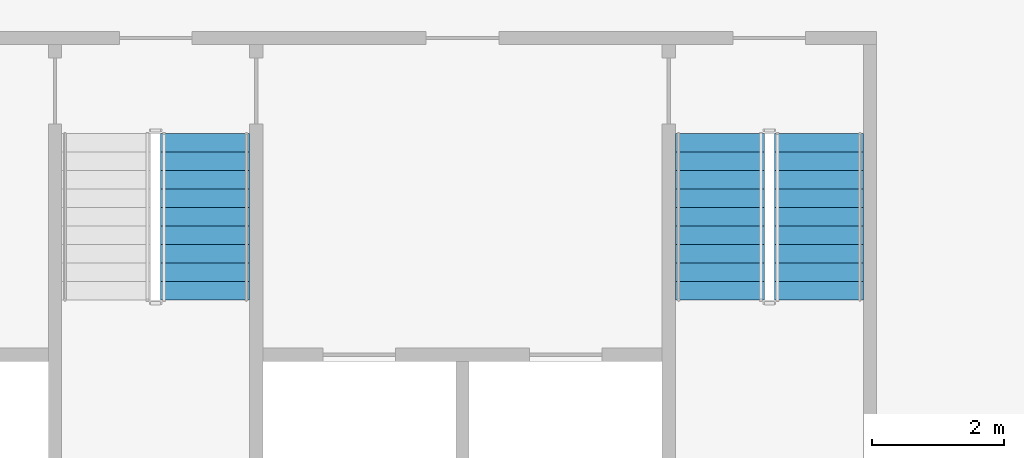
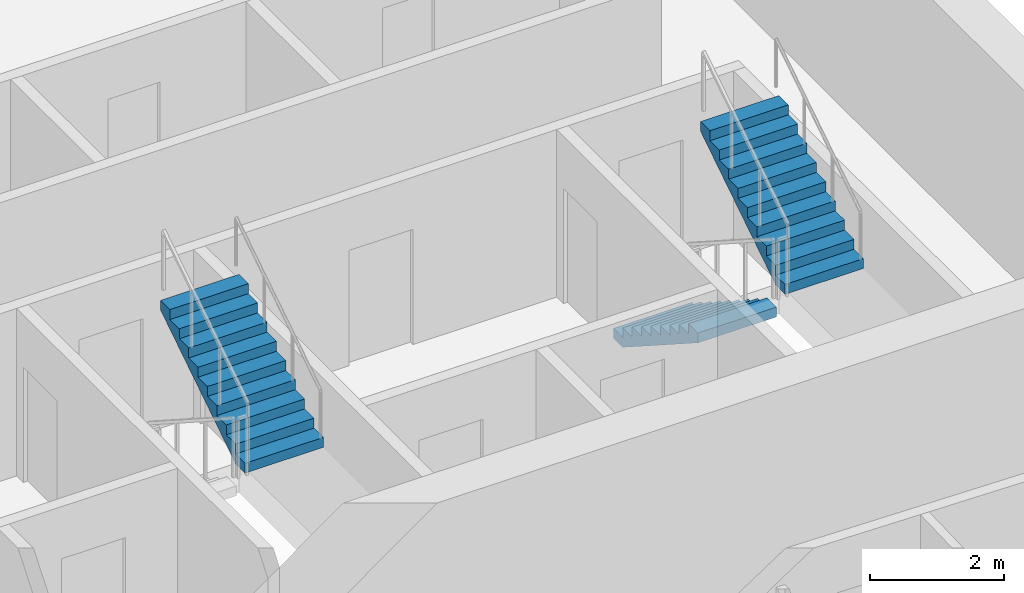
# One storey, part 13 of 17: 3 stair flights, 2 elements without a shape of their own.
"""IFC4 building model written with IfcOpenShell, lengths in metres."""

from ifc_helpers import new_model, si_unit, direction, frame, origin, place, context, subcontext, project, spatial, polyline, outline, extrude, material, type_object, element, aggregate, save


model = new_model("IFC4")

# Units and contexts
model_context = context("Model", 3, precision=1e-05, world=origin(), true_north=direction((0.0, 1.0)))
body_context = subcontext(model_context, "Body", "Model", "MODEL_VIEW")
ifc_project = project(units=[si_unit("LENGTHUNIT", "METRE"), si_unit("AREAUNIT", "SQUARE_METRE"), si_unit("VOLUMEUNIT", "CUBIC_METRE"), si_unit("PLANEANGLEUNIT", "RADIAN"), si_unit("MASSUNIT", "GRAM", prefix="KILO")], contexts=[model_context])

# Site, building, storey
site_placement = place(None, origin())
site = spatial("IfcSite", under=ifc_project, at=site_placement, CompositionType="ELEMENT")
building_placement = place(site_placement, origin())
building = spatial("IfcBuilding", under=site, at=building_placement, Name="Mangrove Gate Tower", CompositionType="ELEMENT")
storey_placement = place(building_placement, frame((0.0, 0.0, 268.10009765625)))
storey = spatial("IfcBuildingStorey", under=building, at=storey_placement, Name="L68", CompositionType="ELEMENT", Elevation=268.10009765625)

# Stair, stair flight
ifc_material_1 = material(Name="Concrete C40/50", Category="concrete")
stair_type = type_object("IfcStairType", Name="Core stair 1350", PredefinedType="HALF_TURN_STAIR", material=ifc_material_1)
stair_1_placement = place(storey_placement, origin())
stair_1 = element("IfcStair", 1, at=stair_1_placement, inside=storey, type_object=stair_type, Name="L68 Stair 2", PredefinedType="HALF_TURN_STAIR")
ifc_material_2 = material(Name="Concrete C40/50", Category="concrete")
stair_flight_type = type_object("IfcStairFlightType", Name="Core stair flight 1350", PredefinedType="STRAIGHT", material=ifc_material_2)
stair_flight_1_placement = place(storey_placement, frame((0.72509765625, -7.169921875, 1.7998046875), z_axis=(0.0, 0.0, 1.0), x_axis=(0.0, 1.0, 0.0)))
stair_flight_1 = element("IfcStairFlight", 2, at=stair_flight_1_placement, type_object=stair_flight_type, Name="ST2 flight 2", NumberOfRisers=10, NumberOfTreads=9, PredefinedType="STRAIGHT", RiserHeight=0.18, TreadLength=0.28, context=body_context, shape_type="SweptSolid", body=[
    extrude(outline(polyline([(0.0, 0.0), (0.0, 0.179931640625), (0.280029296875, 0.179931640625), (0.280029296875, 0.360107421875), (0.56005859375, 0.360107421875), (0.56005859375, 0.5400390625), (0.840087890625, 0.5400390625), (0.840087890625, 0.719970703125), (1.1201171875, 0.719970703125), (1.1201171875, 0.89990234375), (1.39990234375, 0.89990234375), (1.39990234375, 1.080078125), (1.679931640625, 1.080078125), (1.679931640625, 1.260009765625), (1.9599609375, 1.260009765625), (1.9599609375, 1.43994140625), (2.239990234375, 1.43994140625), (2.239990234375, 1.6201171875), (2.52001953125, 1.6201171875), (2.52001953125, 1.800048828125), (2.52001953125, 1.44189453125), (0.277099609375, 0.0), (0.0, 0.0)])), frame((0.0, 0.675048828125, 0.0), z_axis=(0.0, -1.0, 0.0), x_axis=(1.0, 0.0, 0.0)), (0.0, 0.0, 1.0), 1.35009765625),
])
aggregate(stair_1, [stair_flight_1])

# Stair, stair flights
stair_2_placement = place(storey_placement, origin())
stair_2 = element("IfcStair", 3, at=stair_2_placement, inside=storey, type_object=stair_type, Name="L68 Stair 3", PredefinedType="HALF_TURN_STAIR")
stair_flight_2_placement = place(storey_placement, frame((8.52490234375, -4.64990234375, 0.0), z_axis=(0.0, 0.0, 1.0), x_axis=(0.0, -1.0, 0.0)))
stair_flight_2 = element("IfcStairFlight", 4, at=stair_flight_2_placement, type_object=stair_flight_type, Name="ST3 flight 1", NumberOfRisers=10, NumberOfTreads=9, PredefinedType="STRAIGHT", RiserHeight=0.18, TreadLength=0.28, context=body_context, shape_type="SweptSolid", body=[
    extrude(outline(polyline([(0.0, 0.0), (0.0, 0.179931640625), (0.280029296875, 0.179931640625), (0.280029296875, 0.360107421875), (0.56005859375, 0.360107421875), (0.56005859375, 0.5400390625), (0.840087890625, 0.5400390625), (0.840087890625, 0.719970703125), (1.1201171875, 0.719970703125), (1.1201171875, 0.89990234375), (1.39990234375, 0.89990234375), (1.39990234375, 1.080078125), (1.679931640625, 1.080078125), (1.679931640625, 1.260009765625), (1.9599609375, 1.260009765625), (1.9599609375, 1.43994140625), (2.239990234375, 1.43994140625), (2.239990234375, 1.6201171875), (2.52001953125, 1.6201171875), (2.52001953125, 1.800048828125), (2.52001953125, 1.44189453125), (0.277099609375, 0.0), (0.0, 0.0)])), frame((0.0, 0.675048828125, 0.0), z_axis=(0.0, -1.0, 0.0), x_axis=(1.0, 0.0, 0.0)), (0.0, 0.0, 1.0), 1.35009765625),
])
stair_flight_3_placement = place(storey_placement, frame((10.02490234375, -7.169921875, 1.7998046875), z_axis=(0.0, 0.0, 1.0), x_axis=(0.0, 1.0, 0.0)))
stair_flight_3 = element("IfcStairFlight", 5, at=stair_flight_3_placement, type_object=stair_flight_type, Name="ST3 flight 2", NumberOfRisers=10, NumberOfTreads=9, PredefinedType="STRAIGHT", RiserHeight=0.18, TreadLength=0.28, context=body_context, shape_type="SweptSolid", body=[
    extrude(outline(polyline([(0.0, 0.0), (0.0, 0.179931640625), (0.280029296875, 0.179931640625), (0.280029296875, 0.360107421875), (0.56005859375, 0.360107421875), (0.56005859375, 0.5400390625), (0.840087890625, 0.5400390625), (0.840087890625, 0.719970703125), (1.1201171875, 0.719970703125), (1.1201171875, 0.89990234375), (1.39990234375, 0.89990234375), (1.39990234375, 1.080078125), (1.679931640625, 1.080078125), (1.679931640625, 1.260009765625), (1.9599609375, 1.260009765625), (1.9599609375, 1.43994140625), (2.239990234375, 1.43994140625), (2.239990234375, 1.6201171875), (2.52001953125, 1.6201171875), (2.52001953125, 1.800048828125), (2.52001953125, 1.44189453125), (0.277099609375, 0.0), (0.0, 0.0)])), frame((0.0, 0.675048828125, 0.0), z_axis=(0.0, -1.0, 0.0), x_axis=(1.0, 0.0, 0.0)), (0.0, 0.0, 1.0), 1.35009765625),
])
aggregate(stair_2, [stair_flight_2, stair_flight_3])

save(model, "model.ifc")
